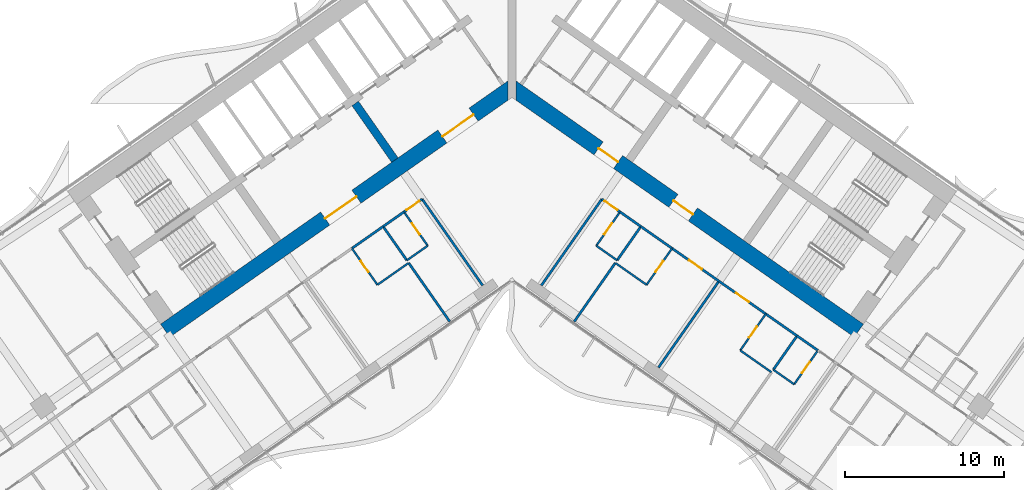
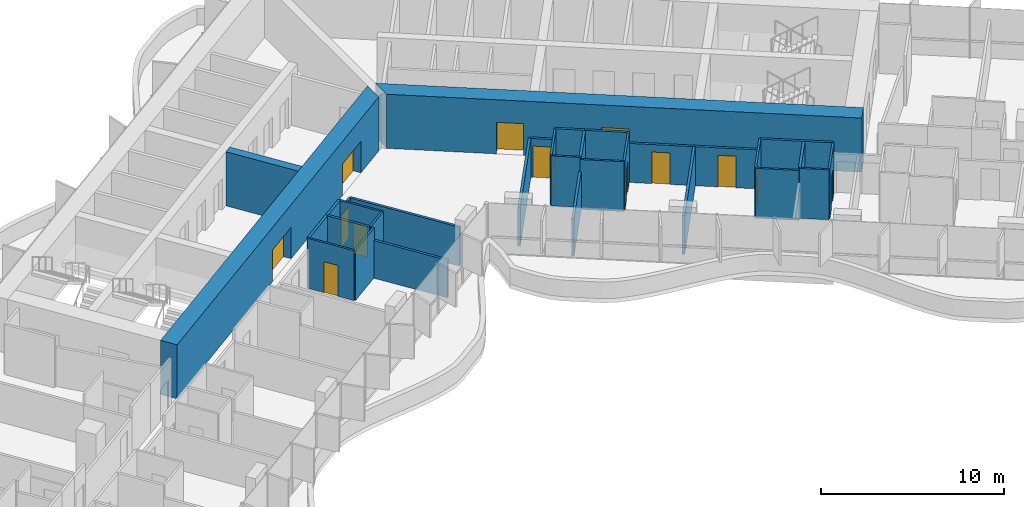
# One storey, part 15 of 25: 33 walls, 14 doors, 14 openings.
"""IFC4 building model written with IfcOpenShell, lengths in metres."""

import ifcopenshell
import ifcopenshell.guid

model = None  # the IFC model being written
_history = None  # IfcOwnerHistory: only IFC2X3 demands one
_inside = {}  # id of a spatial element -> (the spatial element, [elements in it])
_under = {}  # id of a project, library or spatial element -> (it, [spatial elements below it])
_declared = {}  # id of a project -> (the project, [libraries it declares])
_typed = {}  # id of a type object -> (the type object, [elements of that type])
_made_of = {}  # id of a material, layer set ... -> (it, [elements and type objects made of it])


def new_model(schema):
    """Start an empty IFC model of exactly this schema.

    Asked for "IFC4X3", IfcOpenShell would pick the latest addendum, in which some entities
    have other attributes; the version numbers below select the first issue.
    IFC2X3 requires an IfcOwnerHistory on every rooted entity: one is made here for all.
    """
    global model, _history
    if schema == "IFC4X3":
        model = ifcopenshell.file(schema_version=(4, 3, 0, 0))
    else:
        model = ifcopenshell.file(schema=schema)
    _inside.clear()
    _under.clear()
    _declared.clear()
    _typed.clear()
    _made_of.clear()
    _history = None
    if model.schema == "IFC2X3":
        org = make("IfcOrganization", Name="unknown")
        user = make(
            "IfcPersonAndOrganization",
            ThePerson=make("IfcPerson", FamilyName="unknown"),
            TheOrganization=org,
        )
        app = make(
            "IfcApplication",
            ApplicationDeveloper=org,
            Version="unknown",
            ApplicationFullName="unknown",
            ApplicationIdentifier="unknown",
        )
        _history = make(
            "IfcOwnerHistory",
            OwningUser=user,
            OwningApplication=app,
            ChangeAction="ADDED",
            CreationDate=0,
        )
    return model


def make(cls, **values):
    """One entity of the class cls with the attributes given. An attribute that is None is left unset."""
    return model.create_entity(
        cls, **{name: value for name, value in values.items() if value is not None}
    )


def rooted(cls, **values):
    """An entity with a GlobalId (a new one), such as an element, a storey or a relation."""
    return make(cls, GlobalId=ifcopenshell.guid.new(), OwnerHistory=_history, **values)


def si_unit(unit_type, name, prefix=None):
    """IfcSIUnit, for example si_unit("LENGTHUNIT", "METRE", prefix="MILLI")."""
    return make("IfcSIUnit", UnitType=unit_type, Prefix=prefix, Name=name)


def assignment(units):
    """IfcUnitAssignment: the units of a project."""
    return None if units is None else make("IfcUnitAssignment", Units=units)


def point(xyz):
    """IfcCartesianPoint."""
    return None if xyz is None else make("IfcCartesianPoint", Coordinates=xyz)


def direction(xyz):
    """IfcDirection."""
    return None if xyz is None else make("IfcDirection", DirectionRatios=xyz)


def frame(location, z_axis=None, x_axis=None):
    """IfcAxis2Placement3D, a coordinate frame: its origin and axes. An axis left out is left unset."""
    return make(
        "IfcAxis2Placement3D",
        Location=point(location),
        Axis=direction(z_axis),
        RefDirection=direction(x_axis),
    )


def frame_2d(location, x_axis=None):
    """IfcAxis2Placement2D, a coordinate frame in the plane: its origin and x axis."""
    return make(
        "IfcAxis2Placement2D", Location=point(location), RefDirection=direction(x_axis)
    )


def origin():
    """The frame at (0, 0, 0) with its axes left unset."""
    return frame((0.0, 0.0, 0.0))


def place(relative_to, where):
    """IfcLocalPlacement: puts the frame where relative to a parent placement (None: the world)."""
    return make(
        "IfcLocalPlacement", PlacementRelTo=relative_to, RelativePlacement=where
    )


def context(
    kind, dimensions, precision=None, world=None, true_north=None, identifier=None
):
    """IfcGeometricRepresentationContext, for example the 3D "Model" context."""
    return make(
        "IfcGeometricRepresentationContext",
        ContextIdentifier=identifier,
        ContextType=kind,
        CoordinateSpaceDimension=dimensions,
        Precision=precision,
        WorldCoordinateSystem=world,
        TrueNorth=true_north,
    )


def subcontext(parent, identifier, kind, view, scale=None):
    """IfcGeometricRepresentationSubContext, for example "Body" below "Model"."""
    return make(
        "IfcGeometricRepresentationSubContext",
        ContextIdentifier=identifier,
        ContextType=kind,
        ParentContext=parent,
        TargetScale=scale,
        TargetView=view,
    )


def project(units=None, contexts=None):
    """IfcProject with its units and contexts."""
    return rooted(
        "IfcProject",
        Name="project",
        RepresentationContexts=contexts,
        UnitsInContext=assignment(units),
    )


def spatial(cls, under=None, at=None, **own):
    """A site, building, storey or space (cls), placed at a placement, below another one or the project."""
    s = rooted(cls, ObjectPlacement=at, **own)
    if under is not None:
        _under.setdefault(under.id(), (under, []))[1].append(s)
    return s


def polyline(points):
    """IfcPolyline through the points."""
    return make("IfcPolyline", Points=[point(p) for p in points])


def profile(cls, at=None, kind="AREA", **sizes):
    """A parametric profile (cls). Its sizes go by their IFC names, for example OverallWidth=200.0."""
    return make(cls, ProfileType=kind, Position=at, **sizes)


def rectangle(**sizes):
    """IfcRectangleProfileDef."""
    return profile("IfcRectangleProfileDef", **sizes)


def outline(outer, holes=None, kind="AREA"):
    """IfcArbitraryClosedProfileDef: a profile drawn as a closed curve; with holes, ...WithVoids."""
    if holes is None:
        return make("IfcArbitraryClosedProfileDef", ProfileType=kind, OuterCurve=outer)
    return make(
        "IfcArbitraryProfileDefWithVoids",
        ProfileType=kind,
        OuterCurve=outer,
        InnerCurves=holes,
    )


def extrude(swept, where, along, depth):
    """IfcExtrudedAreaSolid: the profile swept, set in the frame where, extruded along a direction by depth."""
    return make(
        "IfcExtrudedAreaSolid",
        SweptArea=swept,
        Position=where,
        ExtrudedDirection=direction(along),
        Depth=depth,
    )


def shape(context_of_items, identifier, shape_type, items):
    """IfcShapeRepresentation: the items that make up one representation, for example the "Body"."""
    return make(
        "IfcShapeRepresentation",
        ContextOfItems=context_of_items,
        RepresentationIdentifier=identifier,
        RepresentationType=shape_type,
        Items=items,
    )


def material(Name=None, Category=None):
    """IfcMaterial."""
    return make("IfcMaterial", Name=Name, Category=Category)


def layer(
    of_material, thickness, ventilated=None, Name=None, Category=None, Priority=None
):
    """IfcMaterialLayer: one layer of a wall or slab, of a material (None: an air gap)."""
    return make(
        "IfcMaterialLayer",
        Material=of_material,
        LayerThickness=thickness,
        IsVentilated=ventilated,
        Name=Name,
        Category=Category,
        Priority=Priority,
    )


def layer_set(layers, Name=None):
    """IfcMaterialLayerSet."""
    return make("IfcMaterialLayerSet", MaterialLayers=layers, LayerSetName=Name)


def made_of(thing, what):
    """Note that an element or type object is made of a material, layer set ...; save() writes the relation."""
    if what is not None:
        _made_of.setdefault(what.id(), (what, []))[1].append(thing)
    return thing


def type_object(cls, material=None, **own):
    """A type object (cls), such as IfcWallType, which elements share."""
    return made_of(rooted(cls, **own), material)


def element(
    cls,
    number,
    at=None,
    inside=None,
    cuts=None,
    type_object=None,
    material=None,
    context=None,
    identifier="Body",
    shape_type=None,
    held_by="IfcProductDefinitionShape",
    body=None,
    shapes=None,
    **own,
):
    """One element of the class cls, such as IfcWall. Its Tag is "e" and its number.

    at: its placement. inside: the storey or other place that contains it. cuts: it is an
    opening in that element (IfcRelVoidsElement). A single representation is given by context,
    identifier, shape_type and body (its items); several are given by shapes. held_by: the class
    of the entity that holds the representations. save() writes the other relations.
    """
    e = rooted(cls, Tag="e%d" % number, ObjectPlacement=at, **own)
    if body is not None:
        shapes = [shape(context, identifier, shape_type, body)]
    if shapes is not None:
        e.Representation = make(held_by, Representations=shapes)
    if inside is not None:
        _inside.setdefault(inside.id(), (inside, []))[1].append(e)
    if cuts is not None:
        rooted(
            "IfcRelVoidsElement", RelatingBuildingElement=cuts, RelatedOpeningElement=e
        )
    if type_object is not None:
        _typed.setdefault(type_object.id(), (type_object, []))[1].append(e)
    return made_of(e, material)


def fill(opening, filler):
    """IfcRelFillsElement: the door or window that sits in an opening."""
    return rooted(
        "IfcRelFillsElement",
        RelatingOpeningElement=opening,
        RelatedBuildingElement=filler,
    )


def aggregate(whole, parts):
    """IfcRelAggregates: a whole, such as a stair, and the parts it consists of."""
    return rooted("IfcRelAggregates", RelatingObject=whole, RelatedObjects=parts)


def save(model, path):
    """Write the relations noted so far, then the file.

    IfcRelAggregates (storeys below a building ...), IfcRelContainedInSpatialStructure (elements
    in a storey), IfcRelDefinesByType, IfcRelAssociatesMaterial and IfcRelDeclares: one each for
    every whole, place, type object, material and project.
    """
    for whole, parts in _under.values():
        aggregate(whole, parts)
    for where, things in _inside.values():
        rooted(
            "IfcRelContainedInSpatialStructure",
            RelatedElements=things,
            RelatingStructure=where,
        )
    for kind, things in _typed.values():
        rooted("IfcRelDefinesByType", RelatedObjects=things, RelatingType=kind)
    for what, things in _made_of.values():
        rooted("IfcRelAssociatesMaterial", RelatedObjects=things, RelatingMaterial=what)
    for by, libraries in _declared.values():
        rooted("IfcRelDeclares", RelatingContext=by, RelatedDefinitions=libraries)
    model.write(path)


model = new_model("IFC4")

# Units and contexts
model_context = context("Model", 3, precision=1e-05, world=origin(), true_north=direction((0.0, 1.0)))
body_context = subcontext(model_context, "Body", "Model", "MODEL_VIEW")
ifc_project = project(units=[si_unit("LENGTHUNIT", "METRE"), si_unit("AREAUNIT", "SQUARE_METRE"), si_unit("VOLUMEUNIT", "CUBIC_METRE"), si_unit("PLANEANGLEUNIT", "RADIAN"), si_unit("MASSUNIT", "GRAM", prefix="KILO")], contexts=[model_context])

# Site, building, storey
site_placement = place(None, origin())
site = spatial("IfcSite", under=ifc_project, at=site_placement, CompositionType="ELEMENT")
building_placement = place(site_placement, origin())
building = spatial("IfcBuilding", under=site, at=building_placement, Name="Tel Ilan Convention Tower", CompositionType="ELEMENT")
storey_placement = place(building_placement, frame((0.0, 0.0, 54.5)))
storey = spatial("IfcBuildingStorey", under=building, at=storey_placement, Name="L08", CompositionType="ELEMENT", Elevation=54.5)

# Wall, openings, doors
ifc_material_1 = material(Name="Concrete C60/75", Category="concrete")
ifc_layer_1 = layer(ifc_material_1, 1.0)
ifc_layer_set_1 = layer_set([ifc_layer_1], Name="Core Shear Wall 1000 mm C60/75")
wall_type_1 = type_object("IfcWallType", Name="Core Shear Wall 1000 mm C60/75", PredefinedType="SHEAR", material=ifc_layer_set_1)
wall_1_placement = place(storey_placement, frame((0.036865234375, -0.584716796875, 0.0), z_axis=(0.0, 0.0, 1.0), x_axis=(-0.819157152511, -0.573569140985, 0.0)))
wall_1 = element("IfcWall", 1, at=wall_1_placement, inside=storey, type_object=wall_type_1, Name="L08 core wall W-front", PredefinedType="SHEAR", context=body_context, shape_type="SweptSolid", body=[
    extrude(outline(polyline([(26.69482421875, 0.500244140625), (0.7001953125, 0.499755859375), (0.0, -0.5), (26.69482421875, -0.499755859375), (26.69482421875, 0.500244140625)])), origin(), (0.0, 0.0, 1.0), 3.60009765625),
])
opening_1_placement = place(wall_1_placement, frame((2.994873046875, 0.0, 0.0)))
opening_1 = element("IfcOpeningElement", 2, at=opening_1_placement, cuts=wall_1, Name="Opening CD1105", PredefinedType="OPENING", context=body_context, shape_type="SweptSolid", body=[
    extrude(rectangle(XDim=2.39990234375, YDim=2.10009765625, at=frame_2d((1.199951171875, 1.050048828125))), frame((0.0, 0.510009765625, 0.0), z_axis=(0.0, -1.0, 0.0), x_axis=(1.0, 0.0, 0.0)), (0.0, 0.0, 1.0), 1.02001953125),
])
opening_2_placement = place(wall_1_placement, frame((11.994873046875, 0.0, 0.0)))
opening_2 = element("IfcOpeningElement", 3, at=opening_2_placement, cuts=wall_1, Name="Opening CD1106", PredefinedType="OPENING", context=body_context, shape_type="SweptSolid", body=[
    extrude(rectangle(XDim=2.39990234375, YDim=2.10009765625, at=frame_2d((1.199951171875, 1.050048828125))), frame((0.0, 0.510009765625, 0.0), z_axis=(0.0, -1.0, 0.0), x_axis=(1.0, 0.0, 0.0)), (0.0, 0.0, 1.0), 1.02001953125),
])
ifc_material_2 = material(Name="Glazed Aluminium Door Leaf", Category="aluminium")
door_type_1 = type_object("IfcDoorType", Name="Lobby Opening Door 2400 x 2100 FD60S", OperationType="NOTDEFINED", PredefinedType="DOOR", material=ifc_material_2)
door_1_placement = place(opening_1_placement, origin())
door_1 = element("IfcDoor", 4, at=door_1_placement, inside=storey, type_object=door_type_1, Name="Lift Lobby LR1-LR4 opening", OperationType="DOUBLE_DOOR_SINGLE_SWING", OverallHeight=2.10009765625, OverallWidth=2.39990234375, PredefinedType="DOOR", context=body_context, shape_type="SweptSolid", body=[
    extrude(rectangle(XDim=2.39990234375, YDim=2.10009765625, at=frame_2d((1.199951171875, 1.050048828125))), frame((0.0, 0.02490234375, 0.0), z_axis=(0.0, -1.0, 0.0), x_axis=(1.0, 0.0, 0.0)), (0.0, 0.0, 1.0), 0.050048828125),
])
fill(opening_1, door_1)
door_2_placement = place(opening_2_placement, origin())
door_2 = element("IfcDoor", 5, at=door_2_placement, inside=storey, type_object=door_type_1, Name="Lift Lobby LR5-LR8 opening", OperationType="DOUBLE_DOOR_SINGLE_SWING", OverallHeight=2.10009765625, OverallWidth=2.39990234375, PredefinedType="DOOR", context=body_context, shape_type="SweptSolid", body=[
    extrude(rectangle(XDim=2.39990234375, YDim=2.10009765625, at=frame_2d((1.199951171875, 1.050048828125))), frame((0.0, 0.02490234375, 0.0), z_axis=(0.0, -1.0, 0.0), x_axis=(1.0, 0.0, 0.0)), (0.0, 0.0, 1.0), 0.050048828125),
])
fill(opening_2, door_2)

wall_2_placement = place(storey_placement, frame((-0.036865234375, -0.584716796875, 0.0), z_axis=(0.0, 0.0, 1.0), x_axis=(0.819157152511, -0.573569140985, 0.0)))
wall_2 = element("IfcWall", 6, at=wall_2_placement, inside=storey, type_object=wall_type_1, Name="L08 core wall E-front", PredefinedType="SHEAR", context=body_context, shape_type="SweptSolid", body=[
    extrude(outline(polyline([(26.69482421875, 0.499755859375), (0.0, 0.5), (0.7001953125, -0.499755859375), (26.69482421875, -0.500244140625), (26.69482421875, 0.499755859375)])), origin(), (0.0, 0.0, 1.0), 3.60009765625),
])
opening_3_placement = place(wall_2_placement, frame((6.69482421875, 0.0, 0.0)))
opening_3 = element("IfcOpeningElement", 7, at=opening_3_placement, cuts=wall_2, Name="Opening CD1103", PredefinedType="OPENING", context=body_context, shape_type="SweptSolid", body=[
    extrude(rectangle(XDim=1.5, YDim=2.10009765625, at=frame_2d((0.75, 1.050048828125))), frame((0.0, 0.510009765625, 0.0), z_axis=(0.0, -1.0, 0.0), x_axis=(1.0, 0.0, 0.0)), (0.0, 0.0, 1.0), 1.02001953125),
])
opening_4_placement = place(wall_2_placement, frame((12.44482421875, 0.0, 0.0)))
opening_4 = element("IfcOpeningElement", 8, at=opening_4_placement, cuts=wall_2, Name="Opening CD1104", PredefinedType="OPENING", context=body_context, shape_type="SweptSolid", body=[
    extrude(rectangle(XDim=1.5, YDim=2.10009765625, at=frame_2d((0.75, 1.050048828125))), frame((0.0, 0.510009765625, 0.0), z_axis=(0.0, -1.0, 0.0), x_axis=(1.0, 0.0, 0.0)), (0.0, 0.0, 1.0), 1.02001953125),
])
ifc_material_3 = material(Name="Glazed Aluminium Door Leaf", Category="aluminium")
door_type_2 = type_object("IfcDoorType", Name="Lobby Opening Door 1500 x 2100 FD60S", OperationType="NOTDEFINED", PredefinedType="DOOR", material=ifc_material_3)
door_3_placement = place(opening_4_placement, origin())
door_3 = element("IfcDoor", 9, at=door_3_placement, inside=storey, type_object=door_type_2, Name="Firefighting Lobby door", OperationType="DOUBLE_DOOR_SINGLE_SWING", OverallHeight=2.10009765625, OverallWidth=1.5, PredefinedType="DOOR", context=body_context, shape_type="SweptSolid", body=[
    extrude(rectangle(XDim=1.5, YDim=2.10009765625, at=frame_2d((0.75, 1.050048828125))), frame((0.0, 0.02490234375, 0.0), z_axis=(0.0, -1.0, 0.0), x_axis=(1.0, 0.0, 0.0)), (0.0, 0.0, 1.0), 0.050048828125),
])
fill(opening_4, door_3)
ifc_material_4 = material(Name="Laminated Timber Door Leaf", Category="wood")
door_type_3 = type_object("IfcDoorType", Name="Toilet Door 1500 x 2100 FD30S", OperationType="NOTDEFINED", PredefinedType="DOOR", material=ifc_material_4)
door_4_placement = place(opening_3_placement, origin())
door_4 = element("IfcDoor", 10, at=door_4_placement, inside=storey, type_object=door_type_3, Name="WC Lobby door", OperationType="SINGLE_SWING_RIGHT", OverallHeight=2.10009765625, OverallWidth=1.5, PredefinedType="DOOR", context=body_context, shape_type="SweptSolid", body=[
    extrude(rectangle(XDim=1.5, YDim=2.10009765625, at=frame_2d((0.75, 1.050048828125))), frame((0.0, 0.02490234375, 0.0), z_axis=(0.0, -1.0, 0.0), x_axis=(1.0, 0.0, 0.0)), (0.0, 0.0, 1.0), 0.050048828125),
])
fill(opening_3, door_4)

# Wall
ifc_material_5 = material(Name="Concrete C60/75", Category="concrete")
ifc_layer_2 = layer(ifc_material_5, 0.5)
ifc_layer_set_2 = layer_set([ifc_layer_2], Name="Core Shear Wall 500 mm C60/75")
wall_type_2 = type_object("IfcWallType", Name="Core Shear Wall 500 mm C60/75", PredefinedType="SHEAR", material=ifc_layer_set_2)
wall_3_placement = place(storey_placement, frame((-7.372314453125, -5.162109375, 0.0), z_axis=(0.0, 0.0, 1.0), x_axis=(-0.573594173421, 0.819139624372, 0.0)))
element("IfcWall", 11, at=wall_3_placement, inside=storey, type_object=wall_type_2, Name="L08 core wall W-cross1-1", PredefinedType="SHEAR", context=body_context, shape_type="SweptSolid", body=[
    extrude(outline(polyline([(4.349853515625, 0.25), (0.0, 0.250244140625), (0.0, -0.25), (4.349853515625, -0.25), (4.349853515625, 0.25)])), origin(), (0.0, 0.0, 1.0), 3.60009765625),
])

# Wall, opening, door
ifc_material_6 = material(Name="Plasterboard on Steel Studs", Category="steel")
ifc_layer_3 = layer(ifc_material_6, 0.14990234375)
ifc_layer_set_3 = layer_set([ifc_layer_3], Name="Fire-rated Partition 150 EI 60")
wall_type_3 = type_object("IfcWallType", Name="Fire-rated Partition 150 EI 60", PredefinedType="PARTITIONING", material=ifc_layer_set_3)
wall_4_placement = place(storey_placement, frame((6.79931640625, -8.423095703125, 0.0), z_axis=(0.0, 0.0, 1.0), x_axis=(-0.819207359301, 0.573497430219, 0.0)))
wall_4 = element("IfcWall", 12, at=wall_4_placement, inside=storey, type_object=wall_type_3, Name="Partition 009", PredefinedType="PARTITIONING", context=body_context, shape_type="SweptSolid", body=[
    extrude(rectangle(XDim=1.40087890625, YDim=0.14990234375, at=frame_2d((0.700439453125, 0.0))), origin(), (0.0, 0.0, 1.0), 2.60009765625),
])
opening_5_placement = place(wall_4_placement, frame((0.200927734375, 0.0, 0.0)))
opening_5 = element("IfcOpeningElement", 13, at=opening_5_placement, cuts=wall_4, Name="Opening L08-025", PredefinedType="OPENING", context=body_context, shape_type="SweptSolid", body=[
    extrude(rectangle(XDim=1.0, YDim=2.10009765625, at=frame_2d((0.5, 1.050048828125))), frame((0.0, 0.0849609375, 0.0), z_axis=(0.0, -1.0, 0.0), x_axis=(1.0, 0.0, 0.0)), (0.0, 0.0, 1.0), 0.169921875),
])
ifc_material_7 = material(Name="Timber Door Leaf in Steel Frame", Category="steel")
door_type_4 = type_object("IfcDoorType", Name="Hotel Room Entrance Fire Door 1000x2100", OperationType="NOTDEFINED", PredefinedType="DOOR", material=ifc_material_7)
door_5_placement = place(opening_5_placement, origin())
door_5 = element("IfcDoor", 14, at=door_5_placement, inside=storey, type_object=door_type_4, Name="Door L08-025", OperationType="SINGLE_SWING_RIGHT", OverallHeight=2.10009765625, OverallWidth=1.0, PredefinedType="DOOR", context=body_context, shape_type="SweptSolid", body=[
    extrude(rectangle(XDim=1.0, YDim=2.10009765625, at=frame_2d((0.5, 1.050048828125))), frame((0.0, 0.02490234375, 0.0), z_axis=(0.0, -1.0, 0.0), x_axis=(1.0, 0.0, 0.0)), (0.0, 0.0, 1.0), 0.050048828125),
])
fill(opening_5, door_5)

# Wall
wall_5_placement = place(storey_placement, frame((8.110595703125, -9.341552734375, 0.0), z_axis=(0.0, 0.0, 1.0), x_axis=(-0.8190674132, 0.573697283098, 0.0)))
element("IfcWall", 15, at=wall_5_placement, inside=storey, type_object=wall_type_3, Name="Partition 011", PredefinedType="PARTITIONING", context=body_context, shape_type="SweptSolid", body=[
    extrude(rectangle(XDim=1.60400390625, YDim=0.14990234375, at=frame_2d((0.802001953125, 0.0))), origin(), (0.0, 0.0, 1.0), 3.320068359375),
])

# Wall, opening, door
wall_6_placement = place(storey_placement, frame((13.025634765625, -12.782958984375, 0.0), z_axis=(0.0, 0.0, 1.0), x_axis=(-0.819145961204, 0.573585123798, 0.0)))
wall_6 = element("IfcWall", 16, at=wall_6_placement, inside=storey, type_object=wall_type_3, Name="Partition 012", PredefinedType="PARTITIONING", context=body_context, shape_type="SweptSolid", body=[
    extrude(rectangle(XDim=3.60302734375, YDim=0.14990234375, at=frame_2d((1.801513671875, 0.0))), origin(), (0.0, 0.0, 1.0), 2.60009765625),
])
opening_6_placement = place(wall_6_placement, frame((1.302001953125, 0.0, 0.0)))
opening_6 = element("IfcOpeningElement", 17, at=opening_6_placement, cuts=wall_6, Name="Opening L08-027", PredefinedType="OPENING", context=body_context, shape_type="SweptSolid", body=[
    extrude(rectangle(XDim=1.0, YDim=2.10009765625, at=frame_2d((0.5, 1.050048828125))), frame((0.0, 0.0849609375, 0.0), z_axis=(0.0, -1.0, 0.0), x_axis=(1.0, 0.0, 0.0)), (0.0, 0.0, 1.0), 0.169921875),
])
door_6_placement = place(opening_6_placement, origin())
door_6 = element("IfcDoor", 18, at=door_6_placement, inside=storey, type_object=door_type_4, Name="Door L08-027", OperationType="SINGLE_SWING_LEFT", OverallHeight=2.10009765625, OverallWidth=1.0, PredefinedType="DOOR", context=body_context, shape_type="SweptSolid", body=[
    extrude(rectangle(XDim=1.0, YDim=2.10009765625, at=frame_2d((0.5, 1.050048828125))), frame((0.0, 0.02490234375, 0.0), z_axis=(0.0, -1.0, 0.0), x_axis=(1.0, 0.0, 0.0)), (0.0, 0.0, 1.0), 0.050048828125),
])
fill(opening_6, door_6)

# Wall
wall_7_placement = place(storey_placement, frame((10.07666015625, -10.718017578125, 0.0), z_axis=(0.0, 0.0, 1.0), x_axis=(-0.819146032251, 0.573585022335, 0.0)))
element("IfcWall", 19, at=wall_7_placement, inside=storey, type_object=wall_type_3, Name="Partition 013", PredefinedType="PARTITIONING", context=body_context, shape_type="SweptSolid", body=[
    extrude(rectangle(XDim=2.404052734375, YDim=0.14990234375, at=frame_2d((1.2021484375, 0.0))), origin(), (0.0, 0.0, 1.0), 3.320068359375),
])

# Wall, opening, door
wall_8_placement = place(storey_placement, frame((15.973876953125, -14.847412109375, 0.0), z_axis=(0.0, 0.0, 1.0), x_axis=(-0.819145961204, 0.573585123798, 0.0)))
wall_8 = element("IfcWall", 20, at=wall_8_placement, inside=storey, type_object=wall_type_3, Name="Partition 014", PredefinedType="PARTITIONING", context=body_context, shape_type="SweptSolid", body=[
    extrude(rectangle(XDim=3.60302734375, YDim=0.14990234375, at=frame_2d((1.801513671875, 0.0))), origin(), (0.0, 0.0, 1.0), 2.60009765625),
])
opening_7_placement = place(wall_8_placement, frame((1.301025390625, 0.0, 0.0)))
opening_7 = element("IfcOpeningElement", 21, at=opening_7_placement, cuts=wall_8, Name="Opening L08-029", PredefinedType="OPENING", context=body_context, shape_type="SweptSolid", body=[
    extrude(rectangle(XDim=1.0, YDim=2.10009765625, at=frame_2d((0.5, 1.050048828125))), frame((0.0, 0.0849609375, 0.0), z_axis=(0.0, -1.0, 0.0), x_axis=(1.0, 0.0, 0.0)), (0.0, 0.0, 1.0), 0.169921875),
])
door_7_placement = place(opening_7_placement, origin())
door_7 = element("IfcDoor", 22, at=door_7_placement, inside=storey, type_object=door_type_4, Name="Door L08-029", OperationType="SINGLE_SWING_LEFT", OverallHeight=2.10009765625, OverallWidth=1.0, PredefinedType="DOOR", context=body_context, shape_type="SweptSolid", body=[
    extrude(rectangle(XDim=1.0, YDim=2.10009765625, at=frame_2d((0.5, 1.050048828125))), frame((0.0, 0.02490234375, 0.0), z_axis=(0.0, -1.0, 0.0), x_axis=(1.0, 0.0, 0.0)), (0.0, 0.0, 1.0), 0.050048828125),
])
fill(opening_7, door_7)

# Walls
wall_9_placement = place(storey_placement, frame((17.940673828125, -16.224365234375, 0.0), z_axis=(0.0, 0.0, 1.0), x_axis=(-0.81922714955, 0.573469159974, 0.0)))
element("IfcWall", 23, at=wall_9_placement, inside=storey, type_object=wall_type_3, Name="Partition 015", PredefinedType="PARTITIONING", context=body_context, shape_type="SweptSolid", body=[
    extrude(rectangle(XDim=2.404052734375, YDim=0.14990234375, at=frame_2d((1.2021484375, 0.0))), origin(), (0.0, 0.0, 1.0), 3.320068359375),
])
wall_10_placement = place(storey_placement, frame((19.251220703125, -17.14208984375, 0.0), z_axis=(0.0, 0.0, 1.0), x_axis=(-0.819189013667, 0.573523634986, 0.0)))
element("IfcWall", 24, at=wall_10_placement, inside=storey, type_object=wall_type_3, Name="Partition 017", PredefinedType="PARTITIONING", context=body_context, shape_type="SweptSolid", body=[
    extrude(rectangle(XDim=1.60400390625, YDim=0.14990234375, at=frame_2d((0.802001953125, 0.0))), origin(), (0.0, 0.0, 1.0), 3.320068359375),
])

# Wall, opening, door
wall_11_placement = place(storey_placement, frame((-5.651611328125, -7.61962890625, 0.0), z_axis=(0.0, 0.0, 1.0), x_axis=(-0.819207359301, -0.573497430219, 0.0)))
wall_11 = element("IfcWall", 25, at=wall_11_placement, inside=storey, type_object=wall_type_3, Name="Partition 035", PredefinedType="PARTITIONING", context=body_context, shape_type="SweptSolid", body=[
    extrude(rectangle(XDim=1.40087890625, YDim=0.14990234375, at=frame_2d((0.700439453125, 0.0))), origin(), (0.0, 0.0, 1.0), 2.60009765625),
])
opening_8_placement = place(wall_11_placement, frame((0.199951171875, 0.0, 0.0)))
opening_8 = element("IfcOpeningElement", 26, at=opening_8_placement, cuts=wall_11, Name="Opening L08-002", PredefinedType="OPENING", context=body_context, shape_type="SweptSolid", body=[
    extrude(rectangle(XDim=1.0, YDim=2.10009765625, at=frame_2d((0.5, 1.050048828125))), frame((0.0, 0.0849609375, 0.0), z_axis=(0.0, -1.0, 0.0), x_axis=(1.0, 0.0, 0.0)), (0.0, 0.0, 1.0), 0.169921875),
])
door_8_placement = place(opening_8_placement, origin())
door_8 = element("IfcDoor", 27, at=door_8_placement, inside=storey, type_object=door_type_4, Name="Door L08-002", OperationType="SINGLE_SWING_LEFT", OverallHeight=2.10009765625, OverallWidth=1.0, PredefinedType="DOOR", context=body_context, shape_type="SweptSolid", body=[
    extrude(rectangle(XDim=1.0, YDim=2.10009765625, at=frame_2d((0.5, 1.050048828125))), frame((0.0, 0.02490234375, 0.0), z_axis=(0.0, -1.0, 0.0), x_axis=(1.0, 0.0, 0.0)), (0.0, 0.0, 1.0), 0.050048828125),
])
fill(opening_8, door_8)

# Walls
wall_12_placement = place(storey_placement, frame((-6.796875, -8.42138671875, 0.0), z_axis=(0.0, 0.0, 1.0), x_axis=(-0.8190674132, -0.573697283098, 0.0)))
element("IfcWall", 28, at=wall_12_placement, inside=storey, type_object=wall_type_3, Name="Partition 036", PredefinedType="PARTITIONING", context=body_context, shape_type="SweptSolid", body=[
    extrude(rectangle(XDim=1.60400390625, YDim=0.14990234375, at=frame_2d((0.802001953125, 0.0))), origin(), (0.0, 0.0, 1.0), 3.320068359375),
])
wall_13_placement = place(storey_placement, frame((-8.107421875, -9.339111328125, 0.0), z_axis=(0.0, 0.0, 1.0), x_axis=(-0.819146032251, -0.573585022335, 0.0)))
element("IfcWall", 29, at=wall_13_placement, inside=storey, type_object=wall_type_3, Name="Partition 038", PredefinedType="PARTITIONING", context=body_context, shape_type="SweptSolid", body=[
    extrude(rectangle(XDim=2.404052734375, YDim=0.14990234375, at=frame_2d((1.2021484375, 0.0))), origin(), (0.0, 0.0, 1.0), 3.320068359375),
])
wall_14_placement = place(storey_placement, frame((6.503662109375, -11.63330078125, 0.0), z_axis=(0.0, 0.0, 1.0), x_axis=(-0.573556991349, -0.819165659482, 0.0)))
element("IfcWall", 30, at=wall_14_placement, inside=storey, type_object=wall_type_3, Name="Partition 070", PredefinedType="PARTITIONING", context=body_context, shape_type="SweptSolid", body=[
    extrude(rectangle(XDim=4.5009765625, YDim=0.14990234375, at=frame_2d((2.25048828125, 0.0))), origin(), (0.0, 0.0, 1.0), 2.5),
])
wall_15_placement = place(storey_placement, frame((1.848876953125, -13.050537109375, 0.0), z_axis=(0.0, 0.0, 1.0), x_axis=(0.57357355307, 0.819154063177, 0.0)))
element("IfcWall", 31, at=wall_15_placement, inside=storey, type_object=wall_type_3, Name="Partition 071", PredefinedType="PARTITIONING", context=body_context, shape_type="SweptSolid", body=[
    extrude(rectangle(XDim=6.6298828125, YDim=0.14990234375, at=frame_2d((3.31494140625, 0.0))), origin(), (0.0, 0.0, 1.0), 2.60009765625),
])
wall_16_placement = place(storey_placement, frame((8.109130859375, -9.34033203125, 0.0), z_axis=(0.0, 0.0, 1.0), x_axis=(-0.573537965655, -0.819178980414, 0.0)))
element("IfcWall", 32, at=wall_16_placement, inside=storey, type_object=wall_type_3, Name="Partition 074", PredefinedType="PARTITIONING", context=body_context, shape_type="SweptSolid", body=[
    extrude(rectangle(XDim=2.60009765625, YDim=0.14990234375, at=frame_2d((1.300048828125, 0.0))), origin(), (0.0, 0.0, 1.0), 3.320068359375),
])
wall_17_placement = place(storey_placement, frame((13.02392578125, -12.78173828125, 0.0), z_axis=(0.0, 0.0, 1.0), x_axis=(-0.573556251799, -0.819166177294, 0.0)))
element("IfcWall", 33, at=wall_17_placement, inside=storey, type_object=wall_type_3, Name="Partition 077", PredefinedType="PARTITIONING", context=body_context, shape_type="SweptSolid", body=[
    extrude(rectangle(XDim=6.630126953125, YDim=0.14990234375, at=frame_2d((3.31494140625, 0.0))), origin(), (0.0, 0.0, 1.0), 2.60009765625),
])
wall_18_placement = place(storey_placement, frame((17.93896484375, -16.223388671875, 0.0), z_axis=(0.0, 0.0, 1.0), x_axis=(-0.573588285102, -0.819143747577, 0.0)))
element("IfcWall", 34, at=wall_18_placement, inside=storey, type_object=wall_type_3, Name="Partition 081", PredefinedType="PARTITIONING", context=body_context, shape_type="SweptSolid", body=[
    extrude(rectangle(XDim=2.601806640625, YDim=0.14990234375, at=frame_2d((1.30078125, 0.0))), origin(), (0.0, 0.0, 1.0), 3.320068359375),
])
wall_19_placement = place(storey_placement, frame((-1.848876953125, -13.050537109375, 0.0), z_axis=(0.0, 0.0, 1.0), x_axis=(-0.573575988258, 0.819152358047, 0.0)))
element("IfcWall", 35, at=wall_19_placement, inside=storey, type_object=wall_type_3, Name="Partition 101", PredefinedType="PARTITIONING", context=body_context, shape_type="SweptSolid", body=[
    extrude(rectangle(XDim=6.632080078125, YDim=0.14990234375, at=frame_2d((3.31591796875, 0.0))), origin(), (0.0, 0.0, 1.0), 2.60009765625),
])
wall_20_placement = place(storey_placement, frame((-3.922119140625, -15.3203125, 0.0), z_axis=(0.0, 0.0, 1.0), x_axis=(-0.573556991349, 0.819165659482, 0.0)))
element("IfcWall", 36, at=wall_20_placement, inside=storey, type_object=wall_type_3, Name="Partition 118", PredefinedType="PARTITIONING", context=body_context, shape_type="SweptSolid", body=[
    extrude(rectangle(XDim=4.5009765625, YDim=0.14990234375, at=frame_2d((2.25048828125, 0.0))), origin(), (0.0, 0.0, 1.0), 2.5),
])
wall_21_placement = place(storey_placement, frame((-6.617919921875, -11.47021484375, 0.0), z_axis=(0.0, 0.0, 1.0), x_axis=(-0.573537965655, 0.819178980414, 0.0)))
element("IfcWall", 37, at=wall_21_placement, inside=storey, type_object=wall_type_3, Name="Partition 119", PredefinedType="PARTITIONING", context=body_context, shape_type="SweptSolid", body=[
    extrude(rectangle(XDim=2.60009765625, YDim=0.14990234375, at=frame_2d((1.300048828125, 0.0))), origin(), (0.0, 0.0, 1.0), 3.320068359375),
])

# Wall, opening, door
ifc_material_8 = material(Name="Plasterboard on Steel Studs", Category="steel")
ifc_layer_4 = layer(ifc_material_8, 0.1201171875)
ifc_layer_set_4 = layer_set([ifc_layer_4], Name="Moisture-resistant Partition 120")
wall_type_4 = type_object("IfcWallType", Name="Moisture-resistant Partition 120", PredefinedType="PARTITIONING", material=ifc_layer_set_4)
wall_22_placement = place(storey_placement, frame((6.797607421875, -8.422119140625, 0.0), z_axis=(0.0, 0.0, 1.0), x_axis=(-0.573537965655, -0.819178980414, 0.0)))
wall_22 = element("IfcWall", 38, at=wall_22_placement, inside=storey, type_object=wall_type_4, Name="Partition 068", PredefinedType="PARTITIONING", context=body_context, shape_type="SweptSolid", body=[
    extrude(rectangle(XDim=2.60009765625, YDim=0.1201171875, at=frame_2d((1.300048828125, 0.0))), origin(), (0.0, 0.0, 1.0), 3.320068359375),
])
opening_9_placement = place(wall_22_placement, frame((0.875, 0.0, 0.0)))
opening_9 = element("IfcOpeningElement", 39, at=opening_9_placement, cuts=wall_22, Name="Opening L08-024", PredefinedType="OPENING", context=body_context, shape_type="SweptSolid", body=[
    extrude(rectangle(XDim=0.85009765625, YDim=2.050048828125, at=frame_2d((0.425048828125, 1.02490234375))), frame((0.0, 0.070068359375, 0.0), z_axis=(0.0, -1.0, 0.0), x_axis=(1.0, 0.0, 0.0)), (0.0, 0.0, 1.0), 0.14013671875),
])
ifc_material_9 = material(Name="Timber Door Leaf in Steel Frame", Category="steel")
door_type_5 = type_object("IfcDoorType", Name="Bathroom Timber Door 850x2050", OperationType="NOTDEFINED", PredefinedType="DOOR", material=ifc_material_9)
door_9_placement = place(opening_9_placement, origin())
door_9 = element("IfcDoor", 40, at=door_9_placement, inside=storey, type_object=door_type_5, Name="Door L08-024", OperationType="SINGLE_SWING_LEFT", OverallHeight=2.050048828125, OverallWidth=0.85009765625, PredefinedType="DOOR", context=body_context, shape_type="SweptSolid", body=[
    extrude(rectangle(XDim=0.85009765625, YDim=2.050048828125, at=frame_2d((0.425048828125, 1.02490234375))), frame((0.0, 0.02490234375, 0.0), z_axis=(0.0, -1.0, 0.0), x_axis=(1.0, 0.0, 0.0)), (0.0, 0.0, 1.0), 0.050048828125),
])
fill(opening_9, door_9)

# Walls
wall_23_placement = place(storey_placement, frame((5.306640625, -10.55322265625, 0.0), z_axis=(0.0, 0.0, 1.0), x_axis=(0.819131543282, -0.57360571371, 0.0)))
element("IfcWall", 41, at=wall_23_placement, inside=storey, type_object=wall_type_4, Name="Partition 069", PredefinedType="PARTITIONING", context=body_context, shape_type="SweptSolid", body=[
    extrude(rectangle(XDim=1.599853515625, YDim=0.1201171875, at=frame_2d((0.7998046875, 0.0))), origin(), (0.0, 0.0, 1.0), 3.320068359375),
])
wall_24_placement = place(storey_placement, frame((6.50244140625, -11.634765625, 0.0), z_axis=(0.0, 0.0, 1.0), x_axis=(0.819141114317, -0.573592045652, 0.0)))
element("IfcWall", 42, at=wall_24_placement, inside=storey, type_object=wall_type_4, Name="Partition 075", PredefinedType="PARTITIONING", context=body_context, shape_type="SweptSolid", body=[
    extrude(rectangle(XDim=2.400146484375, YDim=0.1201171875, at=frame_2d((1.2001953125, 0.0))), origin(), (0.0, 0.0, 1.0), 3.320068359375),
])

# Wall, opening, door
wall_25_placement = place(storey_placement, frame((8.469970703125, -13.01123046875, 0.0), z_axis=(0.0, 0.0, 1.0), x_axis=(0.573550118428, 0.819170471667, 0.0)))
wall_25 = element("IfcWall", 43, at=wall_25_placement, inside=storey, type_object=wall_type_4, Name="Partition 076", PredefinedType="PARTITIONING", context=body_context, shape_type="SweptSolid", body=[
    extrude(rectangle(XDim=2.800048828125, YDim=0.1201171875, at=frame_2d((1.39990234375, 0.0))), origin(), (0.0, 0.0, 1.0), 3.320068359375),
])
opening_10_placement = place(wall_25_placement, frame((0.97509765625, 0.0, 0.0)))
opening_10 = element("IfcOpeningElement", 44, at=opening_10_placement, cuts=wall_25, Name="Opening L08-026", PredefinedType="OPENING", context=body_context, shape_type="SweptSolid", body=[
    extrude(rectangle(XDim=0.85009765625, YDim=2.050048828125, at=frame_2d((0.425048828125, 1.02490234375))), frame((0.0, 0.070068359375, 0.0), z_axis=(0.0, -1.0, 0.0), x_axis=(1.0, 0.0, 0.0)), (0.0, 0.0, 1.0), 0.14013671875),
])
door_10_placement = place(opening_10_placement, origin())
door_10 = element("IfcDoor", 45, at=door_10_placement, inside=storey, type_object=door_type_5, Name="Door L08-026", OperationType="SINGLE_SWING_RIGHT", OverallHeight=2.050048828125, OverallWidth=0.85009765625, PredefinedType="DOOR", context=body_context, shape_type="SweptSolid", body=[
    extrude(rectangle(XDim=0.85009765625, YDim=2.050048828125, at=frame_2d((0.425048828125, 1.02490234375))), frame((0.0, 0.02490234375, 0.0), z_axis=(0.0, -1.0, 0.0), x_axis=(1.0, 0.0, 0.0)), (0.0, 0.0, 1.0), 0.050048828125),
])
fill(opening_10, door_10)

wall_26_placement = place(storey_placement, frame((15.97216796875, -14.84619140625, 0.0), z_axis=(0.0, 0.0, 1.0), x_axis=(-0.573550118428, -0.819170471667, 0.0)))
wall_26 = element("IfcWall", 46, at=wall_26_placement, inside=storey, type_object=wall_type_4, Name="Partition 078", PredefinedType="PARTITIONING", context=body_context, shape_type="SweptSolid", body=[
    extrude(rectangle(XDim=2.800048828125, YDim=0.1201171875, at=frame_2d((1.39990234375, 0.0))), origin(), (0.0, 0.0, 1.0), 3.320068359375),
])
opening_11_placement = place(wall_26_placement, frame((0.97509765625, 0.0, 0.0)))
opening_11 = element("IfcOpeningElement", 47, at=opening_11_placement, cuts=wall_26, Name="Opening L08-028", PredefinedType="OPENING", context=body_context, shape_type="SweptSolid", body=[
    extrude(rectangle(XDim=0.85009765625, YDim=2.050048828125, at=frame_2d((0.425048828125, 1.02490234375))), frame((0.0, 0.070068359375, 0.0), z_axis=(0.0, -1.0, 0.0), x_axis=(1.0, 0.0, 0.0)), (0.0, 0.0, 1.0), 0.14013671875),
])
door_11_placement = place(opening_11_placement, origin())
door_11 = element("IfcDoor", 48, at=door_11_placement, inside=storey, type_object=door_type_5, Name="Door L08-028", OperationType="SINGLE_SWING_RIGHT", OverallHeight=2.050048828125, OverallWidth=0.85009765625, PredefinedType="DOOR", context=body_context, shape_type="SweptSolid", body=[
    extrude(rectangle(XDim=0.85009765625, YDim=2.050048828125, at=frame_2d((0.425048828125, 1.02490234375))), frame((0.0, 0.02490234375, 0.0), z_axis=(0.0, -1.0, 0.0), x_axis=(1.0, 0.0, 0.0)), (0.0, 0.0, 1.0), 0.050048828125),
])
fill(opening_11, door_11)

# Walls
wall_27_placement = place(storey_placement, frame((14.366455078125, -17.14111328125, 0.0), z_axis=(0.0, 0.0, 1.0), x_axis=(0.819155442668, -0.573571582932, 0.0)))
element("IfcWall", 49, at=wall_27_placement, inside=storey, type_object=wall_type_4, Name="Partition 079", PredefinedType="PARTITIONING", context=body_context, shape_type="SweptSolid", body=[
    extrude(rectangle(XDim=2.39990234375, YDim=0.1201171875, at=frame_2d((1.199951171875, 0.0))), origin(), (0.0, 0.0, 1.0), 3.320068359375),
])
wall_28_placement = place(storey_placement, frame((16.447021484375, -18.35400390625, 0.0), z_axis=(0.0, 0.0, 1.0), x_axis=(0.819253425856, -0.573431621227, 0.0)))
element("IfcWall", 50, at=wall_28_placement, inside=storey, type_object=wall_type_4, Name="Partition 082", PredefinedType="PARTITIONING", context=body_context, shape_type="SweptSolid", body=[
    extrude(rectangle(XDim=1.60009765625, YDim=0.1201171875, at=frame_2d((0.800048828125, 0.0))), origin(), (0.0, 0.0, 1.0), 3.320068359375),
])

# Wall, opening, door
wall_29_placement = place(storey_placement, frame((17.759033203125, -19.271484375, 0.0), z_axis=(0.0, 0.0, 1.0), x_axis=(0.573600972199, 0.819134863556, 0.0)))
wall_29 = element("IfcWall", 51, at=wall_29_placement, inside=storey, type_object=wall_type_4, Name="Partition 083", PredefinedType="PARTITIONING", context=body_context, shape_type="SweptSolid", body=[
    extrude(rectangle(XDim=2.60009765625, YDim=0.1201171875, at=frame_2d((1.300048828125, 0.0))), origin(), (0.0, 0.0, 1.0), 3.320068359375),
])
opening_12_placement = place(wall_29_placement, frame((0.875, 0.0, 0.0)))
opening_12 = element("IfcOpeningElement", 52, at=opening_12_placement, cuts=wall_29, Name="Opening L08-030", PredefinedType="OPENING", context=body_context, shape_type="SweptSolid", body=[
    extrude(rectangle(XDim=0.85009765625, YDim=2.050048828125, at=frame_2d((0.425048828125, 1.02490234375))), frame((0.0, 0.070068359375, 0.0), z_axis=(0.0, -1.0, 0.0), x_axis=(1.0, 0.0, 0.0)), (0.0, 0.0, 1.0), 0.14013671875),
])
door_12_placement = place(opening_12_placement, origin())
door_12 = element("IfcDoor", 53, at=door_12_placement, inside=storey, type_object=door_type_5, Name="Door L08-030", OperationType="SINGLE_SWING_LEFT", OverallHeight=2.050048828125, OverallWidth=0.85009765625, PredefinedType="DOOR", context=body_context, shape_type="SweptSolid", body=[
    extrude(rectangle(XDim=0.85009765625, YDim=2.050048828125, at=frame_2d((0.425048828125, 1.02490234375))), frame((0.0, 0.02490234375, 0.0), z_axis=(0.0, -1.0, 0.0), x_axis=(1.0, 0.0, 0.0)), (0.0, 0.0, 1.0), 0.050048828125),
])
fill(opening_12, door_12)

# Wall
wall_30_placement = place(storey_placement, frame((-6.6171875, -11.470947265625, 0.0), z_axis=(0.0, 0.0, 1.0), x_axis=(0.819131543282, 0.57360571371, 0.0)))
element("IfcWall", 54, at=wall_30_placement, inside=storey, type_object=wall_type_4, Name="Partition 116", PredefinedType="PARTITIONING", context=body_context, shape_type="SweptSolid", body=[
    extrude(rectangle(XDim=1.599853515625, YDim=0.1201171875, at=frame_2d((0.7998046875, 0.0))), origin(), (0.0, 0.0, 1.0), 3.320068359375),
])

# Wall, opening, door
wall_31_placement = place(storey_placement, frame((-5.306396484375, -10.552001953125, 0.0), z_axis=(0.0, 0.0, 1.0), x_axis=(-0.573537965655, 0.819178980414, 0.0)))
wall_31 = element("IfcWall", 55, at=wall_31_placement, inside=storey, type_object=wall_type_4, Name="Partition 117", PredefinedType="PARTITIONING", context=body_context, shape_type="SweptSolid", body=[
    extrude(rectangle(XDim=2.60009765625, YDim=0.1201171875, at=frame_2d((1.300048828125, 0.0))), origin(), (0.0, 0.0, 1.0), 3.320068359375),
])
opening_13_placement = place(wall_31_placement, frame((0.875, 0.0, 0.0)))
opening_13 = element("IfcOpeningElement", 56, at=opening_13_placement, cuts=wall_31, Name="Opening L08-001", PredefinedType="OPENING", context=body_context, shape_type="SweptSolid", body=[
    extrude(rectangle(XDim=0.85009765625, YDim=2.050048828125, at=frame_2d((0.425048828125, 1.02490234375))), frame((0.0, 0.070068359375, 0.0), z_axis=(0.0, -1.0, 0.0), x_axis=(1.0, 0.0, 0.0)), (0.0, 0.0, 1.0), 0.14013671875),
])
door_13_placement = place(opening_13_placement, origin())
door_13 = element("IfcDoor", 57, at=door_13_placement, inside=storey, type_object=door_type_5, Name="Door L08-001", OperationType="SINGLE_SWING_RIGHT", OverallHeight=2.050048828125, OverallWidth=0.85009765625, PredefinedType="DOOR", context=body_context, shape_type="SweptSolid", body=[
    extrude(rectangle(XDim=0.85009765625, YDim=2.050048828125, at=frame_2d((0.425048828125, 1.02490234375))), frame((0.0, 0.02490234375, 0.0), z_axis=(0.0, -1.0, 0.0), x_axis=(1.0, 0.0, 0.0)), (0.0, 0.0, 1.0), 0.050048828125),
])
fill(opening_13, door_13)

wall_32_placement = place(storey_placement, frame((-10.075927734375, -10.717529296875, 0.0), z_axis=(0.0, 0.0, 1.0), x_axis=(0.573550118428, -0.819170471667, 0.0)))
wall_32 = element("IfcWall", 58, at=wall_32_placement, inside=storey, type_object=wall_type_4, Name="Partition 120", PredefinedType="PARTITIONING", context=body_context, shape_type="SweptSolid", body=[
    extrude(rectangle(XDim=2.800048828125, YDim=0.1201171875, at=frame_2d((1.39990234375, 0.0))), origin(), (0.0, 0.0, 1.0), 3.320068359375),
])
opening_14_placement = place(wall_32_placement, frame((0.97509765625, 0.0, 0.0)))
opening_14 = element("IfcOpeningElement", 59, at=opening_14_placement, cuts=wall_32, Name="Opening L08-003", PredefinedType="OPENING", context=body_context, shape_type="SweptSolid", body=[
    extrude(rectangle(XDim=0.85009765625, YDim=2.050048828125, at=frame_2d((0.425048828125, 1.02490234375))), frame((0.0, 0.070068359375, 0.0), z_axis=(0.0, -1.0, 0.0), x_axis=(1.0, 0.0, 0.0)), (0.0, 0.0, 1.0), 0.14013671875),
])
door_14_placement = place(opening_14_placement, origin())
door_14 = element("IfcDoor", 60, at=door_14_placement, inside=storey, type_object=door_type_5, Name="Door L08-003", OperationType="SINGLE_SWING_LEFT", OverallHeight=2.050048828125, OverallWidth=0.85009765625, PredefinedType="DOOR", context=body_context, shape_type="SweptSolid", body=[
    extrude(rectangle(XDim=0.85009765625, YDim=2.050048828125, at=frame_2d((0.425048828125, 1.02490234375))), frame((0.0, 0.02490234375, 0.0), z_axis=(0.0, -1.0, 0.0), x_axis=(1.0, 0.0, 0.0)), (0.0, 0.0, 1.0), 0.050048828125),
])
fill(opening_14, door_14)

# Wall
wall_33_placement = place(storey_placement, frame((-8.468505859375, -13.011474609375, 0.0), z_axis=(0.0, 0.0, 1.0), x_axis=(0.819141114317, 0.573592045652, 0.0)))
element("IfcWall", 61, at=wall_33_placement, inside=storey, type_object=wall_type_4, Name="Partition 121", PredefinedType="PARTITIONING", context=body_context, shape_type="SweptSolid", body=[
    extrude(rectangle(XDim=2.400146484375, YDim=0.1201171875, at=frame_2d((1.2001953125, 0.0))), origin(), (0.0, 0.0, 1.0), 3.320068359375),
])

save(model, "model.ifc")
